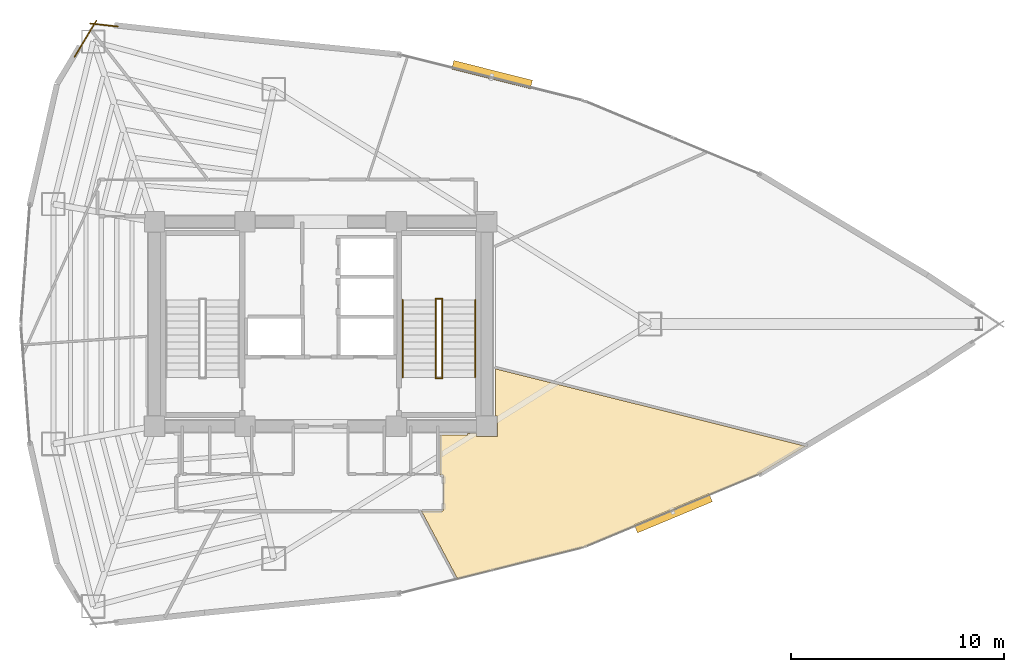
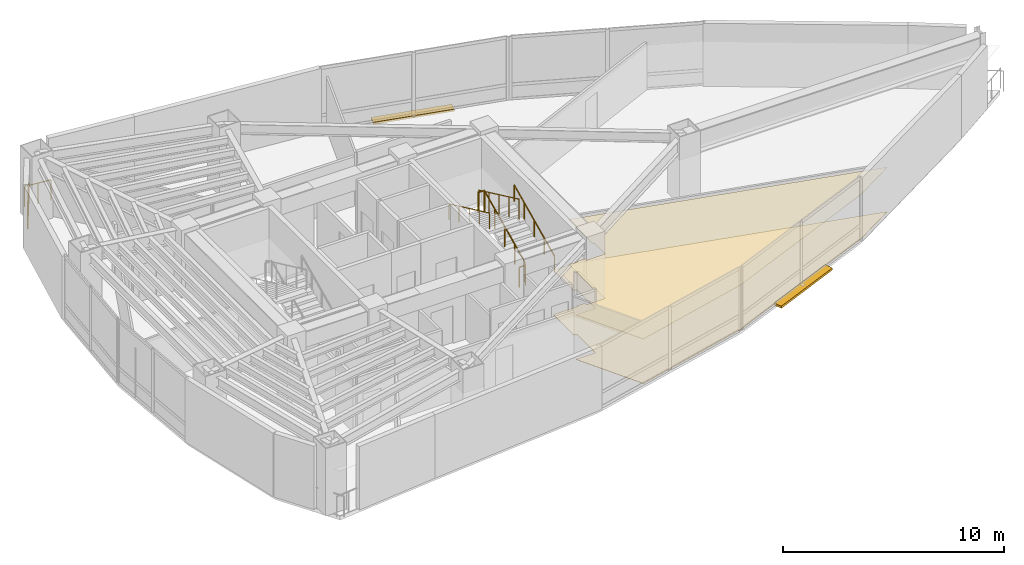
# One storey, part 17 of 18: 8 railings, 2 coverings, 2 shading devices.
"""IFC4 building model written with IfcOpenShell, lengths in metres."""

from ifc_helpers import new_model, si_unit, direction, frame, origin, origin_2d, place, context, subcontext, project, spatial, polyline, rectangle, circle, outline, extrude, material, layer, layer_set, type_object, element, save


model = new_model("IFC4")

# Units and contexts
model_context = context("Model", 3, precision=1e-05, world=origin(), true_north=direction((0.0, 1.0)))
body_context = subcontext(model_context, "Body", "Model", "MODEL_VIEW")
ifc_project = project(units=[si_unit("LENGTHUNIT", "METRE"), si_unit("AREAUNIT", "SQUARE_METRE"), si_unit("VOLUMEUNIT", "CUBIC_METRE"), si_unit("PLANEANGLEUNIT", "RADIAN"), si_unit("MASSUNIT", "GRAM", prefix="KILO")], contexts=[model_context])

# Site, building, storey
site_placement = place(None, origin())
site = spatial("IfcSite", under=ifc_project, at=site_placement, CompositionType="ELEMENT")
building_placement = place(site_placement, origin())
building = spatial("IfcBuilding", under=site, at=building_placement, Name="Menara Vayukalpa", CompositionType="ELEMENT")
storey_placement = place(building_placement, frame((0.0, 0.0, 165.47998046875)))
storey = spatial("IfcBuildingStorey", under=building, at=storey_placement, Name="L41", CompositionType="ELEMENT", Elevation=165.47998046875)

# Coverings
ifc_material_1 = material(Name="Mineral Fibre Acoustic Ceiling Tile", Category="masonry")
ifc_layer_1 = layer(ifc_material_1, 0.02490234375)
ifc_layer_set_1 = layer_set([ifc_layer_1], Name="Mineral Fibre Acoustic Ceiling Tile")
covering_type_1 = type_object("IfcCoveringType", Name="COV-CLG1", PredefinedType="CEILING", material=ifc_layer_set_1)
covering_1_placement = place(storey_placement, frame((0.0, 0.0, 2.449951171875)))
element("IfcCovering", 1, at=covering_1_placement, inside=storey, type_object=covering_type_1, Name="L41 Executive Office Suite Acoustic Ceiling", PredefinedType="CEILING", context=body_context, shape_type="SweptSolid", body=[
    extrude(outline(polyline([(37.957763671875, 11.53173828125), (32.0322265625, 10.046630859375), (32.031494140625, 10.04638671875), (32.030517578125, 10.04638671875), (32.029541015625, 10.04638671875), (32.028564453125, 10.04638671875), (32.027587890625, 10.046630859375), (32.026611328125, 10.046875), (32.02587890625, 10.047119140625), (32.02490234375, 10.047607421875), (32.024169921875, 10.048095703125), (32.0234375, 10.048583984375), (32.022705078125, 10.04931640625), (32.022216796875, 10.050048828125), (32.021484375, 10.05078125), (32.02099609375, 10.051513671875), (30.34423828125, 13.205322265625), (30.34375, 13.206298828125), (30.343505859375, 13.20703125), (30.34326171875, 13.2080078125), (30.343017578125, 13.208984375), (30.343017578125, 13.2099609375), (30.343017578125, 13.2109375), (30.34326171875, 13.2119140625), (30.343505859375, 13.212890625), (30.34375, 13.2138671875), (30.34423828125, 13.214599609375), (30.3447265625, 13.215576171875), (30.34521484375, 13.21630859375), (30.345947265625, 13.217041015625), (30.3466796875, 13.2177734375), (30.347412109375, 13.21826171875), (30.348388671875, 13.21875), (30.34912109375, 13.21923828125), (30.35009765625, 13.219482421875), (30.35107421875, 13.2197265625), (30.35205078125, 13.219970703125), (30.35302734375, 13.219970703125), (31.2998046875, 13.219970703125), (31.306884765625, 13.220458984375), (31.313720703125, 13.22119140625), (31.3203125, 13.222900390625), (31.326904296875, 13.225341796875), (31.3330078125, 13.228271484375), (31.3388671875, 13.231689453125), (31.344482421875, 13.236083984375), (31.349609375, 13.240478515625), (31.35400390625, 13.24560546875), (31.358154296875, 13.251220703125), (31.36181640625, 13.257080078125), (31.36474609375, 13.26318359375), (31.366943359375, 13.269775390625), (31.36865234375, 13.2763671875), (31.36962890625, 13.283203125), (31.3701171875, 13.290283203125), (31.3701171875, 14.849609375), (31.36962890625, 14.856689453125), (31.36865234375, 14.86376953125), (31.366943359375, 14.870361328125), (31.36474609375, 14.876708984375), (31.36181640625, 14.883056640625), (31.358154296875, 14.888916015625), (31.35400390625, 14.89453125), (31.349609375, 14.8994140625), (31.344482421875, 14.904052734375), (31.3388671875, 14.908203125), (31.3330078125, 14.911865234375), (31.326904296875, 14.914794921875), (31.3203125, 14.9169921875), (31.313720703125, 14.918701171875), (31.306884765625, 14.919677734375), (31.2998046875, 14.919921875), (31.219970703125, 14.919921875), (31.218994140625, 14.919921875), (31.218017578125, 14.920166015625), (31.217041015625, 14.92041015625), (31.21630859375, 14.9208984375), (31.21533203125, 14.921142578125), (31.21435546875, 14.921630859375), (31.213623046875, 14.92236328125), (31.212890625, 14.9228515625), (31.21240234375, 14.923583984375), (31.211669921875, 14.92431640625), (31.211181640625, 14.92529296875), (31.210693359375, 14.92626953125), (31.21044921875, 14.927001953125), (31.210205078125, 14.927978515625), (31.2099609375, 14.928955078125), (31.2099609375, 14.929931640625), (31.2099609375, 16.780029296875), (31.2099609375, 16.781005859375), (31.210205078125, 16.781982421875), (31.21044921875, 16.782958984375), (31.210693359375, 16.78369140625), (31.211181640625, 16.78466796875), (31.211669921875, 16.78564453125), (31.21240234375, 16.786376953125), (31.212890625, 16.787109375), (31.213623046875, 16.78759765625), (31.21435546875, 16.788330078125), (31.21533203125, 16.788818359375), (31.21630859375, 16.789306640625), (31.217041015625, 16.78955078125), (31.218017578125, 16.789794921875), (31.218994140625, 16.7900390625), (31.219970703125, 16.7900390625), (32.489990234375, 16.7900390625), (32.489990234375, 16.85009765625), (32.909912109375, 16.85009765625), (32.909912109375, 16.7099609375), (33.889892578125, 16.7099609375), (33.889892578125, 17.68994140625), (33.81005859375, 17.68994140625), (33.81005859375, 19.87841796875), (33.81005859375, 19.87939453125), (33.810302734375, 19.88037109375), (33.810546875, 19.88134765625), (33.810791015625, 19.88232421875), (33.811279296875, 19.88330078125), (33.811767578125, 19.884033203125), (33.8125, 19.885009765625), (33.81298828125, 19.885498046875), (33.813720703125, 19.88623046875), (33.814697265625, 19.886962890625), (33.8154296875, 19.887451171875), (33.81640625, 19.8876953125), (33.8173828125, 19.88818359375), (33.818359375, 19.88818359375), (33.8193359375, 19.888427734375), (33.8203125, 19.888427734375), (33.8212890625, 19.88818359375), (33.822509765625, 19.88818359375), (48.334716796875, 16.269775390625), (48.335693359375, 16.26953125), (48.33642578125, 16.26904296875), (48.33740234375, 16.268798828125), (48.338134765625, 16.26806640625), (48.3388671875, 16.267578125), (48.339599609375, 16.266845703125), (48.340087890625, 16.26611328125), (48.3408203125, 16.265380859375), (48.34130859375, 16.264404296875), (48.341552734375, 16.263427734375), (48.341796875, 16.262451171875), (48.342041015625, 16.26171875), (48.34228515625, 16.260498046875), (48.34228515625, 16.259521484375), (48.342041015625, 16.258544921875), (48.341796875, 16.2578125), (48.341552734375, 16.256591796875), (48.34130859375, 16.255859375), (48.3408203125, 16.2548828125), (48.340087890625, 16.254150390625), (48.339599609375, 16.25341796875), (48.3388671875, 16.252685546875), (48.338134765625, 16.252197265625), (48.33740234375, 16.25146484375), (46.231201171875, 14.98388671875), (46.22998046875, 14.9833984375), (37.959228515625, 11.5322265625), (37.95849609375, 11.531982421875), (37.957763671875, 11.53173828125)])), origin(), (0.0, 0.0, 1.0), 0.025146484375),
])
ifc_material_2 = material(Name="Porcelain Stoneware Floor Tile", Category="masonry")
ifc_layer_2 = layer(ifc_material_2, 0.02001953125)
ifc_layer_set_2 = layer_set([ifc_layer_2], Name="Porcelain Stoneware Floor Tile")
covering_type_2 = type_object("IfcCoveringType", Name="COV-FLR1", PredefinedType="FLOORING", material=ifc_layer_set_2)
covering_2_placement = place(storey_placement, origin())
element("IfcCovering", 2, at=covering_2_placement, inside=storey, type_object=covering_type_2, Name="L41 Executive Office Suite Porcelain Flooring", PredefinedType="FLOORING", context=body_context, shape_type="SweptSolid", body=[
    extrude(outline(polyline([(37.957763671875, 11.53173828125), (32.0322265625, 10.046630859375), (32.031494140625, 10.04638671875), (32.030517578125, 10.04638671875), (32.029541015625, 10.04638671875), (32.028564453125, 10.04638671875), (32.027587890625, 10.046630859375), (32.026611328125, 10.046875), (32.02587890625, 10.047119140625), (32.02490234375, 10.047607421875), (32.024169921875, 10.048095703125), (32.0234375, 10.048583984375), (32.022705078125, 10.04931640625), (32.022216796875, 10.050048828125), (32.021484375, 10.05078125), (32.02099609375, 10.051513671875), (30.34423828125, 13.205322265625), (30.34375, 13.206298828125), (30.343505859375, 13.20703125), (30.34326171875, 13.2080078125), (30.343017578125, 13.208984375), (30.343017578125, 13.2099609375), (30.343017578125, 13.2109375), (30.34326171875, 13.2119140625), (30.343505859375, 13.212890625), (30.34375, 13.2138671875), (30.34423828125, 13.214599609375), (30.3447265625, 13.215576171875), (30.34521484375, 13.21630859375), (30.345947265625, 13.217041015625), (30.3466796875, 13.2177734375), (30.347412109375, 13.21826171875), (30.348388671875, 13.21875), (30.34912109375, 13.21923828125), (30.35009765625, 13.219482421875), (30.35107421875, 13.2197265625), (30.35205078125, 13.219970703125), (30.35302734375, 13.219970703125), (31.2998046875, 13.219970703125), (31.306884765625, 13.220458984375), (31.313720703125, 13.22119140625), (31.3203125, 13.222900390625), (31.326904296875, 13.225341796875), (31.3330078125, 13.228271484375), (31.3388671875, 13.231689453125), (31.344482421875, 13.236083984375), (31.349609375, 13.240478515625), (31.35400390625, 13.24560546875), (31.358154296875, 13.251220703125), (31.36181640625, 13.257080078125), (31.36474609375, 13.26318359375), (31.366943359375, 13.269775390625), (31.36865234375, 13.2763671875), (31.36962890625, 13.283203125), (31.3701171875, 13.290283203125), (31.3701171875, 14.849609375), (31.36962890625, 14.856689453125), (31.36865234375, 14.86376953125), (31.366943359375, 14.870361328125), (31.36474609375, 14.876708984375), (31.36181640625, 14.883056640625), (31.358154296875, 14.888916015625), (31.35400390625, 14.89453125), (31.349609375, 14.8994140625), (31.344482421875, 14.904052734375), (31.3388671875, 14.908203125), (31.3330078125, 14.911865234375), (31.326904296875, 14.914794921875), (31.3203125, 14.9169921875), (31.313720703125, 14.918701171875), (31.306884765625, 14.919677734375), (31.2998046875, 14.919921875), (31.219970703125, 14.919921875), (31.218994140625, 14.919921875), (31.218017578125, 14.920166015625), (31.217041015625, 14.92041015625), (31.21630859375, 14.9208984375), (31.21533203125, 14.921142578125), (31.21435546875, 14.921630859375), (31.213623046875, 14.92236328125), (31.212890625, 14.9228515625), (31.21240234375, 14.923583984375), (31.211669921875, 14.92431640625), (31.211181640625, 14.92529296875), (31.210693359375, 14.92626953125), (31.21044921875, 14.927001953125), (31.210205078125, 14.927978515625), (31.2099609375, 14.928955078125), (31.2099609375, 14.929931640625), (31.2099609375, 16.780029296875), (31.2099609375, 16.781005859375), (31.210205078125, 16.781982421875), (31.21044921875, 16.782958984375), (31.210693359375, 16.78369140625), (31.211181640625, 16.78466796875), (31.211669921875, 16.78564453125), (31.21240234375, 16.786376953125), (31.212890625, 16.787109375), (31.213623046875, 16.78759765625), (31.21435546875, 16.788330078125), (31.21533203125, 16.788818359375), (31.21630859375, 16.789306640625), (31.217041015625, 16.78955078125), (31.218017578125, 16.789794921875), (31.218994140625, 16.7900390625), (31.219970703125, 16.7900390625), (32.489990234375, 16.7900390625), (32.489990234375, 16.85009765625), (32.909912109375, 16.85009765625), (32.909912109375, 16.7099609375), (33.889892578125, 16.7099609375), (33.889892578125, 17.68994140625), (33.81005859375, 17.68994140625), (33.81005859375, 19.87841796875), (33.81005859375, 19.87939453125), (33.810302734375, 19.88037109375), (33.810546875, 19.88134765625), (33.810791015625, 19.88232421875), (33.811279296875, 19.88330078125), (33.811767578125, 19.884033203125), (33.8125, 19.885009765625), (33.81298828125, 19.885498046875), (33.813720703125, 19.88623046875), (33.814697265625, 19.886962890625), (33.8154296875, 19.887451171875), (33.81640625, 19.8876953125), (33.8173828125, 19.88818359375), (33.818359375, 19.88818359375), (33.8193359375, 19.888427734375), (33.8203125, 19.888427734375), (33.8212890625, 19.88818359375), (33.822509765625, 19.88818359375), (48.334716796875, 16.269775390625), (48.335693359375, 16.26953125), (48.33642578125, 16.26904296875), (48.33740234375, 16.268798828125), (48.338134765625, 16.26806640625), (48.3388671875, 16.267578125), (48.339599609375, 16.266845703125), (48.340087890625, 16.26611328125), (48.3408203125, 16.265380859375), (48.34130859375, 16.264404296875), (48.341552734375, 16.263427734375), (48.341796875, 16.262451171875), (48.342041015625, 16.26171875), (48.34228515625, 16.260498046875), (48.34228515625, 16.259521484375), (48.342041015625, 16.258544921875), (48.341796875, 16.2578125), (48.341552734375, 16.256591796875), (48.34130859375, 16.255859375), (48.3408203125, 16.2548828125), (48.340087890625, 16.254150390625), (48.339599609375, 16.25341796875), (48.3388671875, 16.252685546875), (48.338134765625, 16.252197265625), (48.33740234375, 16.25146484375), (46.231201171875, 14.98388671875), (46.22998046875, 14.9833984375), (37.959228515625, 11.5322265625), (37.95849609375, 11.531982421875), (37.957763671875, 11.53173828125)])), origin(), (0.0, 0.0, 1.0), 0.02001953125),
])

# Railings
ifc_material_3 = material(Name="Laminated Glass and Stainless Steel 316 Guardrail", Category="steel")
railing_type_1 = type_object("IfcRailingType", Name="RLG-EXT115", PredefinedType="GUARDRAIL", material=ifc_material_3)
railing_1_placement = place(storey_placement, frame((16.074951171875, 35.964111328125, 0.0)))
element("IfcRailing", 3, at=railing_1_placement, inside=storey, type_object=railing_type_1, Name="L41 Column Corner Spandrel Guardrail 07-1", PredefinedType="GUARDRAIL", context=body_context, shape_type="SweptSolid", body=[
    extrude(circle(Radius=0.02392578125, at=origin_2d()), frame((0.0, 0.0, 1.1259765625), z_axis=(-0.99393179446, 0.109998127083, 0.0), x_axis=(-0.109998127083, -0.99393179446, 0.0)), (0.0, 0.0, 1.0), 1.29833984375),
    extrude(circle(Radius=0.02099609375, at=origin_2d()), origin(), (0.0, 0.0, 1.0), 1.101806640625),
    extrude(circle(Radius=0.02099609375, at=origin_2d()), frame((-0.645263671875, 0.0712890625, 0.0)), (0.0, 0.0, 1.0), 1.101806640625),
    extrude(circle(Radius=0.02099609375, at=origin_2d()), frame((-1.29052734375, 0.142822265625, 0.0)), (0.0, 0.0, 1.0), 1.101806640625),
])
railing_2_placement = place(storey_placement, frame((15.074462890625, 36.250244140625, 0.0)))
element("IfcRailing", 4, at=railing_2_placement, inside=storey, type_object=railing_type_1, Name="L41 Column Corner Spandrel Guardrail 08-1", PredefinedType="GUARDRAIL", context=body_context, shape_type="SweptSolid", body=[
    extrude(circle(Radius=0.02392578125, at=origin_2d()), frame((0.0, 0.0, 1.1259765625), z_axis=(-0.516238473258, -0.856444883649, 0.0), x_axis=(0.856444883649, -0.516238473258, 0.0)), (0.0, 0.0, 1.0), 1.9970703125),
    extrude(circle(Radius=0.02099609375, at=origin_2d()), origin(), (0.0, 0.0, 1.0), 1.101806640625),
    extrude(circle(Radius=0.02099609375, at=origin_2d()), frame((-0.515625, -0.855224609375, 0.0)), (0.0, 0.0, 1.0), 1.101806640625),
    extrude(circle(Radius=0.02099609375, at=origin_2d()), frame((-1.031005859375, -1.71044921875, 0.0)), (0.0, 0.0, 1.0), 1.101806640625),
])
ifc_material_4 = material(Name="Powder-Coated Galvanised Steel Guardrail", Category="steel")
railing_type_2 = type_object("IfcRailingType", Name="RLG-STG110", PredefinedType="GUARDRAIL", material=ifc_material_4)
railing_3_placement = place(storey_placement, frame((31.300048828125, 19.5, 0.155029296875)))
element("IfcRailing", 5, at=railing_3_placement, inside=storey, type_object=railing_type_2, Name="L41 ST-2 stair guard 1", PredefinedType="GUARDRAIL", context=body_context, shape_type="SweptSolid", body=[
    extrude(circle(Radius=0.02392578125, at=origin_2d()), frame((0.0, 0.0, 1.09619140625), z_axis=(0.0, 0.90511648382, 0.425163675209), x_axis=(-1.0, 0.0, 0.0)), (0.0, 0.0, 1.0), 4.010498046875),
    extrude(circle(Radius=0.02099609375, at=origin_2d()), origin(), (0.0, 0.0, 1.0), 1.072021484375),
    extrude(circle(Radius=0.02099609375, at=origin_2d()), frame((0.0, 0.907470703125, 0.42626953125)), (0.0, 0.0, 1.0), 1.072021484375),
    extrude(circle(Radius=0.02099609375, at=origin_2d()), frame((0.0, 1.81494140625, 0.8525390625)), (0.0, 0.0, 1.0), 1.072021484375),
    extrude(circle(Radius=0.02099609375, at=origin_2d()), frame((0.0, 2.722412109375, 1.27880859375)), (0.0, 0.0, 1.0), 1.072021484375),
    extrude(circle(Radius=0.02099609375, at=origin_2d()), frame((0.0, 3.6298828125, 1.705078125)), (0.0, 0.0, 1.0), 1.072021484375),
])
railing_4_placement = place(storey_placement, frame((31.31005859375, 23.179931640625, 1.860107421875)))
element("IfcRailing", 6, at=railing_4_placement, inside=storey, type_object=railing_type_2, Name="L41 ST-2 stair guard 2", PredefinedType="GUARDRAIL", context=body_context, shape_type="SweptSolid", body=[
    extrude(circle(Radius=0.02392578125, at=origin_2d()), frame((0.0, 0.0, 1.09619140625), z_axis=(-1.0, 0.0, 0.0), x_axis=(0.0, -1.0, 0.0)), (0.0, 0.0, 1.0), 0.320068359375),
    extrude(circle(Radius=0.02099609375, at=origin_2d()), origin(), (0.0, 0.0, 1.0), 1.072021484375),
    extrude(circle(Radius=0.02099609375, at=origin_2d()), frame((-0.320068359375, 0.0, 0.0)), (0.0, 0.0, 1.0), 1.072021484375),
])
railing_5_placement = place(storey_placement, frame((31.0, 23.1298828125, 2.01513671875)))
element("IfcRailing", 7, at=railing_5_placement, inside=storey, type_object=railing_type_2, Name="L41 ST-2 stair guard 3", PredefinedType="GUARDRAIL", context=body_context, shape_type="SweptSolid", body=[
    extrude(circle(Radius=0.02392578125, at=origin_2d()), frame((0.0, 0.0, 1.09619140625), z_axis=(0.0, -0.90513990983, 0.425113800803), x_axis=(1.0, 0.0, 0.0)), (0.0, 0.0, 1.0), 4.01025390625),
    extrude(circle(Radius=0.02099609375, at=origin_2d()), origin(), (0.0, 0.0, 1.0), 1.072021484375),
    extrude(circle(Radius=0.02099609375, at=origin_2d()), frame((0.0, -0.907470703125, 0.42626953125)), (0.0, 0.0, 1.0), 1.072021484375),
    extrude(circle(Radius=0.02099609375, at=origin_2d()), frame((0.0, -1.81494140625, 0.8525390625)), (0.0, 0.0, 1.0), 1.072021484375),
    extrude(circle(Radius=0.02099609375, at=origin_2d()), frame((0.0, -2.722412109375, 1.278564453125)), (0.0, 0.0, 1.0), 1.072021484375),
    extrude(circle(Radius=0.02099609375, at=origin_2d()), frame((0.0, -3.6298828125, 1.704833984375)), (0.0, 0.0, 1.0), 1.072021484375),
])
railing_6_placement = place(storey_placement, frame((31.31005859375, 19.449951171875, 0.0)))
element("IfcRailing", 8, at=railing_6_placement, inside=storey, type_object=railing_type_2, Name="L41 ST-2 stair guard 4", PredefinedType="GUARDRAIL", context=body_context, shape_type="SweptSolid", body=[
    extrude(circle(Radius=0.02392578125, at=origin_2d()), frame((0.0, 0.0, 1.09619140625), z_axis=(-1.0, 0.0, 0.0), x_axis=(0.0, -1.0, 0.0)), (0.0, 0.0, 1.0), 0.320068359375),
    extrude(circle(Radius=0.02099609375, at=origin_2d()), origin(), (0.0, 0.0, 1.0), 1.072021484375),
    extrude(circle(Radius=0.02099609375, at=origin_2d()), frame((-0.320068359375, 0.0, 0.0)), (0.0, 0.0, 1.0), 1.072021484375),
])
ifc_material_5 = material(Name="Stainless Steel 316 Tubular Handrail", Category="steel")
railing_type_3 = type_object("IfcRailingType", Name="RLG-STH090", PredefinedType="HANDRAIL", material=ifc_material_5)
railing_7_placement = place(storey_placement, frame((32.85009765625, 19.5, 0.155029296875)))
element("IfcRailing", 9, at=railing_7_placement, inside=storey, type_object=railing_type_3, Name="L41 ST-2 stair handrail 1", PredefinedType="HANDRAIL", context=body_context, shape_type="SweptSolid", body=[
    extrude(circle(Radius=0.02392578125, at=origin_2d()), frame((0.0, 0.0, 0.8759765625), z_axis=(0.0, 0.90511648382, 0.425163675209), x_axis=(-1.0, 0.0, 0.0)), (0.0, 0.0, 1.0), 4.010498046875),
    extrude(circle(Radius=0.02099609375, at=origin_2d()), origin(), (0.0, 0.0, 1.0), 0.851806640625),
    extrude(circle(Radius=0.02099609375, at=origin_2d()), frame((0.0, 0.907470703125, 0.42626953125)), (0.0, 0.0, 1.0), 0.851806640625),
    extrude(circle(Radius=0.02099609375, at=origin_2d()), frame((0.0, 1.81494140625, 0.8525390625)), (0.0, 0.0, 1.0), 0.851806640625),
    extrude(circle(Radius=0.02099609375, at=origin_2d()), frame((0.0, 2.722412109375, 1.27880859375)), (0.0, 0.0, 1.0), 0.851806640625),
    extrude(circle(Radius=0.02099609375, at=origin_2d()), frame((0.0, 3.6298828125, 1.705078125)), (0.0, 0.0, 1.0), 0.851806640625),
])
railing_8_placement = place(storey_placement, frame((29.449951171875, 23.1298828125, 2.01513671875)))
element("IfcRailing", 10, at=railing_8_placement, inside=storey, type_object=railing_type_3, Name="L41 ST-2 stair handrail 2", PredefinedType="HANDRAIL", context=body_context, shape_type="SweptSolid", body=[
    extrude(circle(Radius=0.02392578125, at=origin_2d()), frame((0.0, 0.0, 0.8759765625), z_axis=(0.0, -0.90513990983, 0.425113800803), x_axis=(1.0, 0.0, 0.0)), (0.0, 0.0, 1.0), 4.01025390625),
    extrude(circle(Radius=0.02099609375, at=origin_2d()), origin(), (0.0, 0.0, 1.0), 0.851806640625),
    extrude(circle(Radius=0.02099609375, at=origin_2d()), frame((0.0, -0.907470703125, 0.42626953125)), (0.0, 0.0, 1.0), 0.851806640625),
    extrude(circle(Radius=0.02099609375, at=origin_2d()), frame((0.0, -1.81494140625, 0.8525390625)), (0.0, 0.0, 1.0), 0.851806640625),
    extrude(circle(Radius=0.02099609375, at=origin_2d()), frame((0.0, -2.722412109375, 1.278564453125)), (0.0, 0.0, 1.0), 0.851806640625),
    extrude(circle(Radius=0.02099609375, at=origin_2d()), frame((0.0, -3.6298828125, 1.704833984375)), (0.0, 0.0, 1.0), 0.851806640625),
])

# Shading devices
ifc_material_6 = material(Name="Glazed Terracotta Ceramic Baguette Extrusion", Category="masonry")
ifc_layer_3 = layer(ifc_material_6, 0.1201171875)
ifc_layer_set_3 = layer_set([ifc_layer_3], Name="Glazed Terracotta Ceramic Baguette Extrusion")
shading_device_type = type_object("IfcShadingDeviceType", Name="SHD-SS1", PredefinedType="USERDEFINED", material=ifc_layer_set_3)
for number, where, z_axis, x_axis, name in (
    (11, (33.647705078125, 33.703125, -0.10009765625), (0.0, 0.0, 1.0), (-0.969999438853, 0.243107154615, 0.0), "L41 Horizontal Terracotta Sunshade Band 05"),
    (12, (42.15234375, 13.119384765625, -0.10009765625), (0.0, 0.0, 1.0), (0.922881225826, 0.38508472187, 0.0), "L41 Horizontal Terracotta Sunshade Band 17"),
):
    element("IfcShadingDevice", number, at=place(storey_placement, frame(where, z_axis=z_axis, x_axis=x_axis)), inside=storey, type_object=shading_device_type, Name=name, ObjectType="SUNSHADE", PredefinedType="USERDEFINED", context=body_context, shape_type="SweptSolid", body=[
        extrude(rectangle(XDim=3.800048828125, YDim=0.419921875, at=origin_2d()), origin(), (0.0, 0.0, 1.0), 0.1201171875),
    ])

save(model, "model.ifc")
